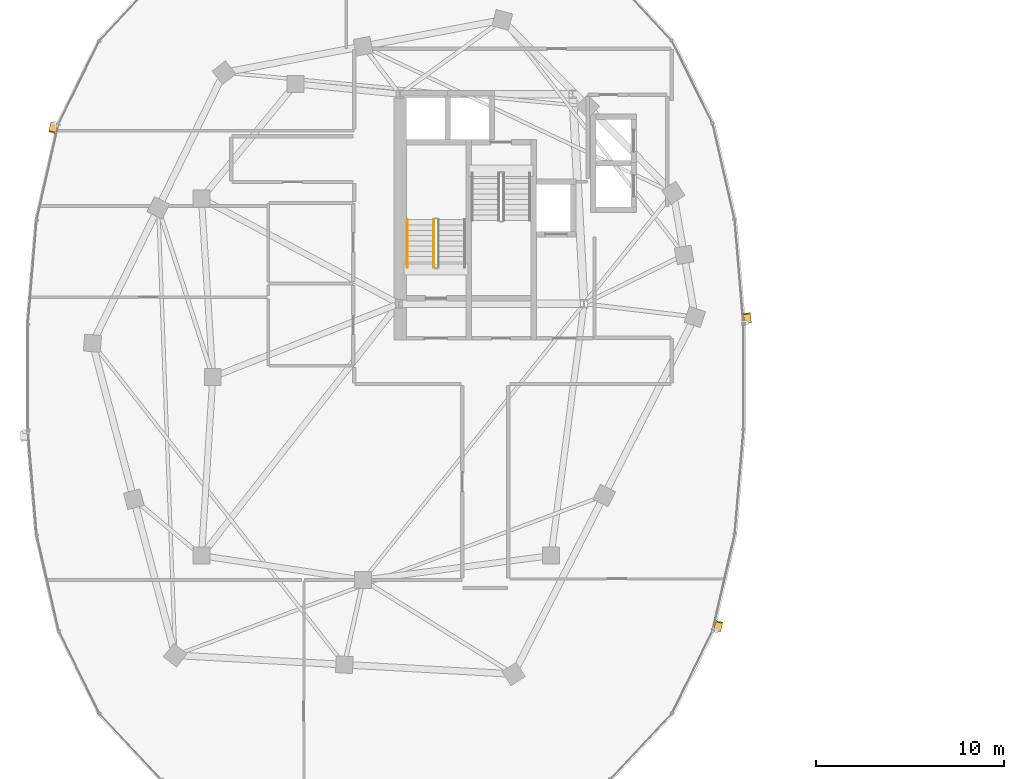
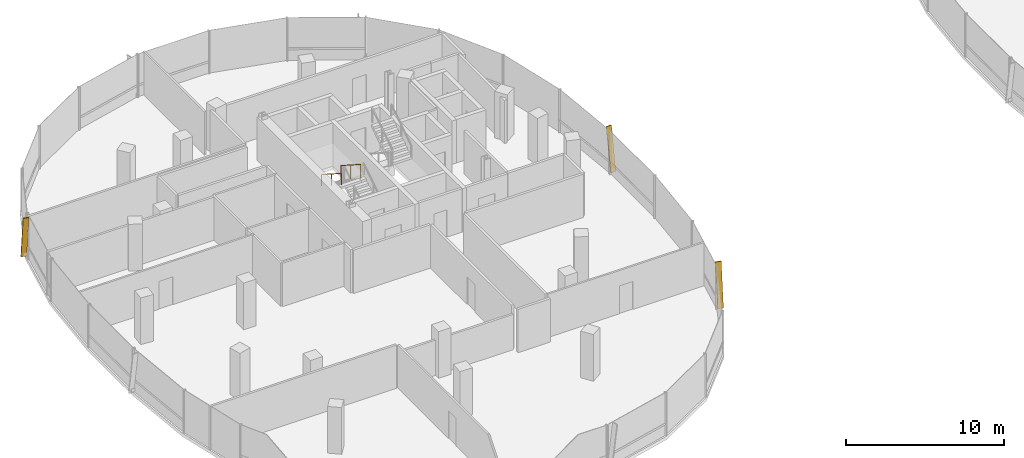
# One storey, part 22 of 25: 3 shading devices, 2 railings.
"""IFC4 building model written with IfcOpenShell, lengths in metres."""

from ifc_helpers import new_model, si_unit, direction, frame, origin, origin_2d, place, context, subcontext, project, spatial, rectangle, extrude, material, material_profile, profile_set, type_object, element, save


model = new_model("IFC4")

# Units and contexts
model_context = context("Model", 3, precision=1e-05, world=origin(), true_north=direction((0.0, 1.0)))
body_context = subcontext(model_context, "Body", "Model", "MODEL_VIEW")
ifc_project = project(units=[si_unit("LENGTHUNIT", "METRE"), si_unit("AREAUNIT", "SQUARE_METRE"), si_unit("VOLUMEUNIT", "CUBIC_METRE"), si_unit("PLANEANGLEUNIT", "RADIAN"), si_unit("MASSUNIT", "GRAM", prefix="KILO"), si_unit("THERMODYNAMICTEMPERATUREUNIT", "KELVIN"), si_unit("POWERUNIT", "WATT")], contexts=[model_context])

# Site, building, storey
site_placement = place(None, origin())
site = spatial("IfcSite", under=ifc_project, at=site_placement, CompositionType="ELEMENT")
building_placement = place(site_placement, origin())
building = spatial("IfcBuilding", under=site, at=building_placement, Name="Cundina Bronze Exchange", CompositionType="ELEMENT")
storey_placement = place(building_placement, frame((0.0, 0.0, 217.0)))
storey = spatial("IfcBuildingStorey", under=building, at=storey_placement, Name="L57", CompositionType="ELEMENT", Elevation=217.0)

# Railings
ifc_material_1 = material(Name="Steel ASTM A36 Painted", Category="steel")
railing_type_1 = type_object("IfcRailingType", Name="RLG-HND-900", PredefinedType="HANDRAIL", material=ifc_material_1)
railing_1_placement = place(storey_placement, frame((-30.85009765625, 8.3701171875, 1.97998046875)))
element("IfcRailing", 1, at=railing_1_placement, inside=storey, type_object=railing_type_1, Name="L57 ST-W1 stair handrail 2", PredefinedType="HANDRAIL", context=body_context, shape_type="SweptSolid", body=[
    extrude(rectangle(XDim=0.048095703125, YDim=0.048095703125, at=origin_2d()), frame((0.0, 0.0, 0.8759765625), z_axis=(0.0, -0.841162588446, 0.540782303519), x_axis=(1.0, 0.0, 0.0)), (0.0, 0.0, 1.0), 2.995849609375),
    extrude(rectangle(XDim=0.0419921875, YDim=0.0419921875, at=origin_2d()), origin(), (0.0, 0.0, 1.0), 0.851806640625),
    extrude(rectangle(XDim=0.0419921875, YDim=0.0419921875, at=origin_2d()), frame((0.0, -1.260009765625, 0.81005859375)), (0.0, 0.0, 1.0), 0.851806640625),
    extrude(rectangle(XDim=0.0419921875, YDim=0.0419921875, at=origin_2d()), frame((0.0, -2.52001953125, 1.6201171875)), (0.0, 0.0, 1.0), 0.851806640625),
])
railing_type_2 = type_object("IfcRailingType", Name="RLG-STG-1100", PredefinedType="GUARDRAIL", material=ifc_material_1)
railing_2_placement = place(storey_placement, frame((-29.449951171875, 8.3701171875, 1.97998046875)))
element("IfcRailing", 2, at=railing_2_placement, inside=storey, type_object=railing_type_2, Name="L57 ST-W1 stair guard 3", PredefinedType="GUARDRAIL", context=body_context, shape_type="SweptSolid", body=[
    extrude(rectangle(XDim=0.048095703125, YDim=0.048095703125, at=origin_2d()), frame((0.0, 0.0, 1.076171875), z_axis=(0.0, -0.841162588446, 0.540782303519), x_axis=(1.0, 0.0, 0.0)), (0.0, 0.0, 1.0), 2.995849609375),
    extrude(rectangle(XDim=0.0419921875, YDim=0.0419921875, at=origin_2d()), origin(), (0.0, 0.0, 1.0), 1.052001953125),
    extrude(rectangle(XDim=0.0419921875, YDim=0.0419921875, at=origin_2d()), frame((0.0, -1.260009765625, 0.81005859375)), (0.0, 0.0, 1.0), 1.052001953125),
    extrude(rectangle(XDim=0.0419921875, YDim=0.0419921875, at=origin_2d()), frame((0.0, -2.52001953125, 1.6201171875)), (0.0, 0.0, 1.0), 1.052001953125),
])

# Shading devices
ifc_material_2 = material(Name="Anodised Bronze Aluminium 6063-T6", Category="aluminium")
ifc_material_profile = material_profile(ifc_material_2, rectangle(XDim=0.070068359375, YDim=0.3798828125, at=origin_2d()), Name="FIN70X380", Category="aluminium")
ifc_profile_set = profile_set([ifc_material_profile], Name="Anodised Bronze Aluminium 6063-T6")
shading_device_type = type_object("IfcShadingDeviceType", Name="SHD-FIN-BRZ380", PredefinedType="USERDEFINED", material=ifc_profile_set)
for number, where, z_axis, x_axis, name in (
    (3, (-12.735595703125, 2.90283203125, 0.02001953125), (-0.012006555776, 0.143419772964, 0.98958911238), (0.082555834947, -0.986139516224, 0.143921466983), "L57 Diagonal Bronze Solar Fin 1"),
    (4, (-49.636962890625, 13.4931640625, 0.02001953125), (-0.032139238682, -0.140343782583, 0.989581068951), (0.220899412839, 0.964610875656, 0.14397676192), "L57 Diagonal Bronze Solar Fin 5"),
    (5, (-14.363037109375, -13.4931640625, 0.02001953125), (0.032139238682, 0.140343782583, 0.989581068951), (-0.220899412839, -0.964610875656, 0.14397676192), "L57 Diagonal Bronze Solar Fin 5"),
):
    element("IfcShadingDevice", number, at=place(storey_placement, frame(where, z_axis=z_axis, x_axis=x_axis)), inside=storey, type_object=shading_device_type, Name=name, ObjectType="FIN", PredefinedType="USERDEFINED", context=body_context, shape_type="SweptSolid", body=[
        extrude(rectangle(XDim=0.070068359375, YDim=0.3798828125, at=origin_2d()), origin(), (0.0, 0.0, 1.0), 3.334716796875),
    ])

save(model, "model.ifc")
